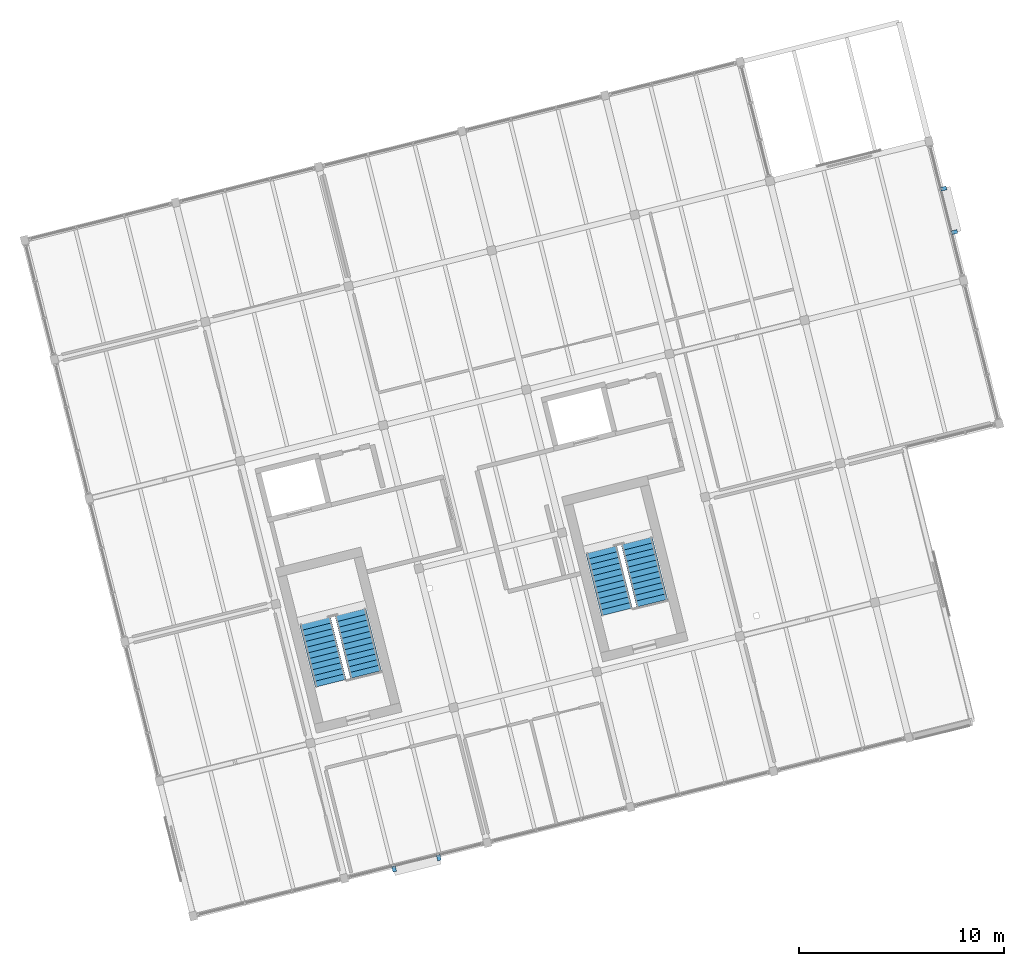
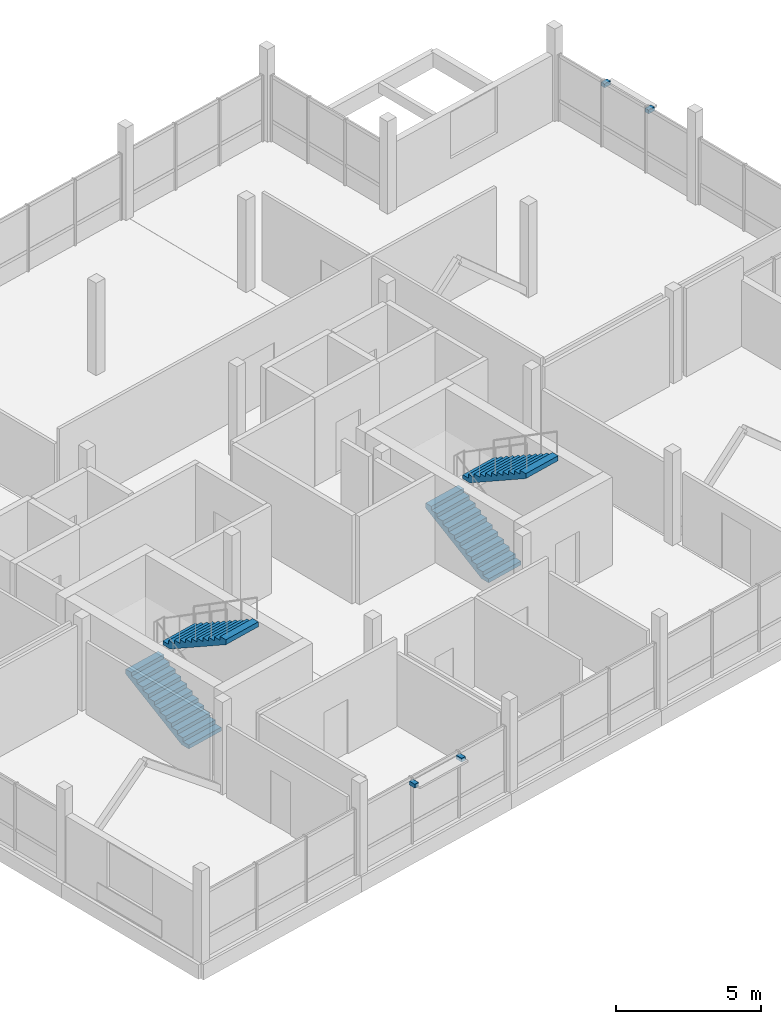
# One storey, part 26 of 27: 4 discrete accessories, 4 stair flights, 2 elements without a shape of their own.
"""IFC4 building model written with IfcOpenShell, lengths in metres."""

from ifc_helpers import new_model, si_unit, direction, frame, origin, origin_2d, place, context, subcontext, project, spatial, polyline, rectangle, outline, extrude, material, type_object, element, aggregate, save


model = new_model("IFC4")

# Units and contexts
model_context = context("Model", 3, precision=1e-05, world=origin(), true_north=direction((0.0, 1.0)))
body_context = subcontext(model_context, "Body", "Model", "MODEL_VIEW")
ifc_project = project(units=[si_unit("LENGTHUNIT", "METRE"), si_unit("AREAUNIT", "SQUARE_METRE"), si_unit("VOLUMEUNIT", "CUBIC_METRE"), si_unit("PLANEANGLEUNIT", "RADIAN"), si_unit("MASSUNIT", "GRAM", prefix="KILO")], contexts=[model_context])

# Site, building, storey
site_placement = place(None, origin())
site = spatial("IfcSite", under=ifc_project, at=site_placement, CompositionType="ELEMENT")
building_placement = place(site_placement, origin())
building = spatial("IfcBuilding", under=site, at=building_placement, Name="Meriwether Solvik Hall", CompositionType="ELEMENT")
storey_placement = place(building_placement, frame((0.0, 0.0, 33.89990234375)))
storey = spatial("IfcBuildingStorey", under=building, at=storey_placement, Name="L08", CompositionType="ELEMENT", Elevation=33.89990234375)

# Stair, stair flights
ifc_material_1 = material(Name="Concrete C40/50", Category="concrete")
stair_type = type_object("IfcStairType", Name="STR-CORE-DOGLEG-A", PredefinedType="TWO_STRAIGHT_RUN_STAIR", material=ifc_material_1)
stair_1_placement = place(storey_placement, origin())
stair_1 = element("IfcStair", 1, at=stair_1_placement, inside=storey, type_object=stair_type, Name="Exit Stair ST-01 (L08)", PredefinedType="TWO_STRAIGHT_RUN_STAIR")
ifc_material_2 = material(Name="Concrete C40/50", Category="concrete")
stair_flight_type = type_object("IfcStairFlightType", Name="SFL-RC-156", PredefinedType="STRAIGHT", material=ifc_material_2)
stair_flight_1_placement = place(storey_placement, frame((75.310791015625, 52.56103515625, 0.0), z_axis=(0.0, 0.0, 1.0), x_axis=(-0.2419218956, 0.970295726276, 0.0)))
stair_flight_1 = element("IfcStairFlight", 2, at=stair_flight_1_placement, type_object=stair_flight_type, Name="Stair ST-01 Lower Flight (L08)", NumberOfRisers=12, NumberOfTreads=11, PredefinedType="STRAIGHT", RiserHeight=0.1625, TreadLength=0.285, context=body_context, shape_type="SweptSolid", body=[
    extrude(outline(polyline([(0.0, 0.0), (0.0, 0.16259765625), (0.284912109375, 0.16259765625), (0.284912109375, 0.324951171875), (0.570068359375, 0.324951171875), (0.570068359375, 0.487548828125), (0.85498046875, 0.487548828125), (0.85498046875, 0.64990234375), (1.139892578125, 0.64990234375), (1.139892578125, 0.8125), (1.425048828125, 0.8125), (1.425048828125, 0.97509765625), (1.7099609375, 0.97509765625), (1.7099609375, 1.137451171875), (1.9951171875, 1.137451171875), (1.9951171875, 1.300048828125), (2.280029296875, 1.300048828125), (2.280029296875, 1.46240234375), (2.56494140625, 1.46240234375), (2.56494140625, 1.625), (2.85009765625, 1.625), (2.85009765625, 1.78759765625), (3.135009765625, 1.78759765625), (3.135009765625, 1.949951171875), (3.135009765625, 1.580322265625), (0.36328125, 0.0), (0.0, 0.0)])), frame((0.0, 0.780029296875, 0.0), z_axis=(0.0, -1.0, 0.0), x_axis=(1.0, 0.0, 0.0)), (0.0, 0.0, 1.0), 1.56005859375),
])
stair_flight_2_placement = place(storey_placement, frame((76.279541015625, 56.033447265625, 1.9501953125), z_axis=(0.0, 0.0, 1.0), x_axis=(0.2419218956, -0.970295726276, 0.0)))
stair_flight_2 = element("IfcStairFlight", 3, at=stair_flight_2_placement, type_object=stair_flight_type, Name="Stair ST-01 Upper Flight (L08)", NumberOfRisers=12, NumberOfTreads=11, PredefinedType="STRAIGHT", RiserHeight=0.1625, TreadLength=0.285, context=body_context, shape_type="SweptSolid", body=[
    extrude(outline(polyline([(0.0, 0.0), (0.0, 0.16259765625), (0.284912109375, 0.16259765625), (0.284912109375, 0.324951171875), (0.570068359375, 0.324951171875), (0.570068359375, 0.487548828125), (0.85498046875, 0.487548828125), (0.85498046875, 0.64990234375), (1.139892578125, 0.64990234375), (1.139892578125, 0.8125), (1.425048828125, 0.8125), (1.425048828125, 0.97509765625), (1.7099609375, 0.97509765625), (1.7099609375, 1.137451171875), (1.9951171875, 1.137451171875), (1.9951171875, 1.300048828125), (2.280029296875, 1.300048828125), (2.280029296875, 1.46240234375), (2.56494140625, 1.46240234375), (2.56494140625, 1.625), (2.85009765625, 1.625), (2.85009765625, 1.78759765625), (3.135009765625, 1.78759765625), (3.135009765625, 1.949951171875), (3.135009765625, 1.580322265625), (0.36328125, 0.0), (0.0, 0.0)])), frame((0.0, 0.780029296875, 0.0), z_axis=(0.0, -1.0, 0.0), x_axis=(1.0, 0.0, 0.0)), (0.0, 0.0, 1.0), 1.56005859375),
])
aggregate(stair_1, [stair_flight_1, stair_flight_2])

stair_2_placement = place(storey_placement, origin())
stair_2 = element("IfcStair", 4, at=stair_2_placement, inside=storey, type_object=stair_type, Name="Exit Stair ST-02 (L08)", PredefinedType="TWO_STRAIGHT_RUN_STAIR")
stair_flight_3_placement = place(storey_placement, frame((89.283203125, 56.044677734375, 0.0), z_axis=(0.0, 0.0, 1.0), x_axis=(-0.2419218956, 0.970295726276, 0.0)))
stair_flight_3 = element("IfcStairFlight", 5, at=stair_flight_3_placement, type_object=stair_flight_type, Name="Stair ST-02 Lower Flight (L08)", NumberOfRisers=12, NumberOfTreads=11, PredefinedType="STRAIGHT", RiserHeight=0.1625, TreadLength=0.285, context=body_context, shape_type="SweptSolid", body=[
    extrude(outline(polyline([(0.0, 0.0), (0.0, 0.16259765625), (0.284912109375, 0.16259765625), (0.284912109375, 0.324951171875), (0.570068359375, 0.324951171875), (0.570068359375, 0.487548828125), (0.85498046875, 0.487548828125), (0.85498046875, 0.64990234375), (1.139892578125, 0.64990234375), (1.139892578125, 0.8125), (1.425048828125, 0.8125), (1.425048828125, 0.97509765625), (1.7099609375, 0.97509765625), (1.7099609375, 1.137451171875), (1.9951171875, 1.137451171875), (1.9951171875, 1.300048828125), (2.280029296875, 1.300048828125), (2.280029296875, 1.46240234375), (2.56494140625, 1.46240234375), (2.56494140625, 1.625), (2.85009765625, 1.625), (2.85009765625, 1.78759765625), (3.135009765625, 1.78759765625), (3.135009765625, 1.949951171875), (3.135009765625, 1.580322265625), (0.36328125, 0.0), (0.0, 0.0)])), frame((0.0, 0.780029296875, 0.0), z_axis=(0.0, -1.0, 0.0), x_axis=(1.0, 0.0, 0.0)), (0.0, 0.0, 1.0), 1.56005859375),
])
stair_flight_4_placement = place(storey_placement, frame((90.251953125, 59.51708984375, 1.9501953125), z_axis=(0.0, 0.0, 1.0), x_axis=(0.2419218956, -0.970295726276, 0.0)))
stair_flight_4 = element("IfcStairFlight", 6, at=stair_flight_4_placement, type_object=stair_flight_type, Name="Stair ST-02 Upper Flight (L08)", NumberOfRisers=12, NumberOfTreads=11, PredefinedType="STRAIGHT", RiserHeight=0.1625, TreadLength=0.285, context=body_context, shape_type="SweptSolid", body=[
    extrude(outline(polyline([(0.0, 0.0), (0.0, 0.16259765625), (0.284912109375, 0.16259765625), (0.284912109375, 0.324951171875), (0.570068359375, 0.324951171875), (0.570068359375, 0.487548828125), (0.85498046875, 0.487548828125), (0.85498046875, 0.64990234375), (1.139892578125, 0.64990234375), (1.139892578125, 0.8125), (1.425048828125, 0.8125), (1.425048828125, 0.97509765625), (1.7099609375, 0.97509765625), (1.7099609375, 1.137451171875), (1.9951171875, 1.137451171875), (1.9951171875, 1.300048828125), (2.280029296875, 1.300048828125), (2.280029296875, 1.46240234375), (2.56494140625, 1.46240234375), (2.56494140625, 1.625), (2.85009765625, 1.625), (2.85009765625, 1.78759765625), (3.135009765625, 1.78759765625), (3.135009765625, 1.949951171875), (3.135009765625, 1.580322265625), (0.36328125, 0.0), (0.0, 0.0)])), frame((0.0, 0.780029296875, 0.0), z_axis=(0.0, -1.0, 0.0), x_axis=(1.0, 0.0, 0.0)), (0.0, 0.0, 1.0), 1.56005859375),
])
aggregate(stair_2, [stair_flight_3, stair_flight_4])

# Discrete accessories
ifc_material_3 = material(Name="Steel A36 Galvanised", Category="steel")
discrete_accessory_type = type_object("IfcDiscreteAccessoryType", Name="ACC-BRK-STL", PredefinedType="BRACKET", material=ifc_material_3)
for number, where, z_axis, x_axis, name in (
    (7, (80.59375, 44.046142578125, 2.490234375), (0.0, 0.0, 1.0), (-0.970295738259, -0.241921847539, 0.0), "Sunshade Outrigger Bracket E0_B1-1"),
    (8, (78.40869140625, 43.501220703125, 2.490234375), (0.0, 0.0, 1.0), (-0.970295738259, -0.241921847539, 0.0), "Sunshade Outrigger Bracket E0_B1-2"),
    (9, (105.237548828125, 76.7109375, 2.490234375), (0.0, 0.0, 1.0), (0.241921751704, -0.970295762153, 0.0), "Sunshade Outrigger Bracket E3_B1-1"),
    (10, (105.76611328125, 74.590576171875, 2.490234375), (0.0, 0.0, 1.0), (0.241921751704, -0.970295762153, 0.0), "Sunshade Outrigger Bracket E3_B1-2"),
):
    element("IfcDiscreteAccessory", number, at=place(storey_placement, frame(where, z_axis=z_axis, x_axis=x_axis)), inside=storey, type_object=discrete_accessory_type, Name=name, PredefinedType="BRACKET", context=body_context, shape_type="SweptSolid", body=[
        extrude(rectangle(XDim=0.179931640625, YDim=0.280029296875, at=origin_2d()), origin(), (0.0, 0.0, 1.0), 0.159912109375),
    ])

save(model, "model.ifc")
